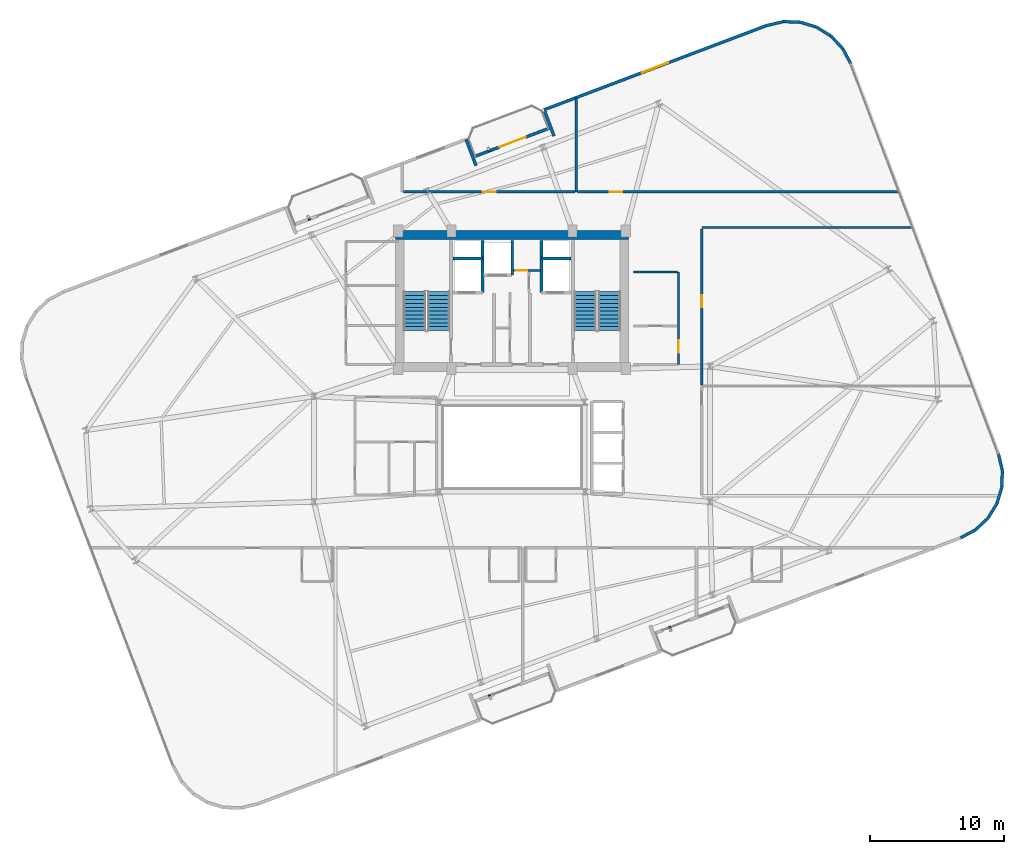
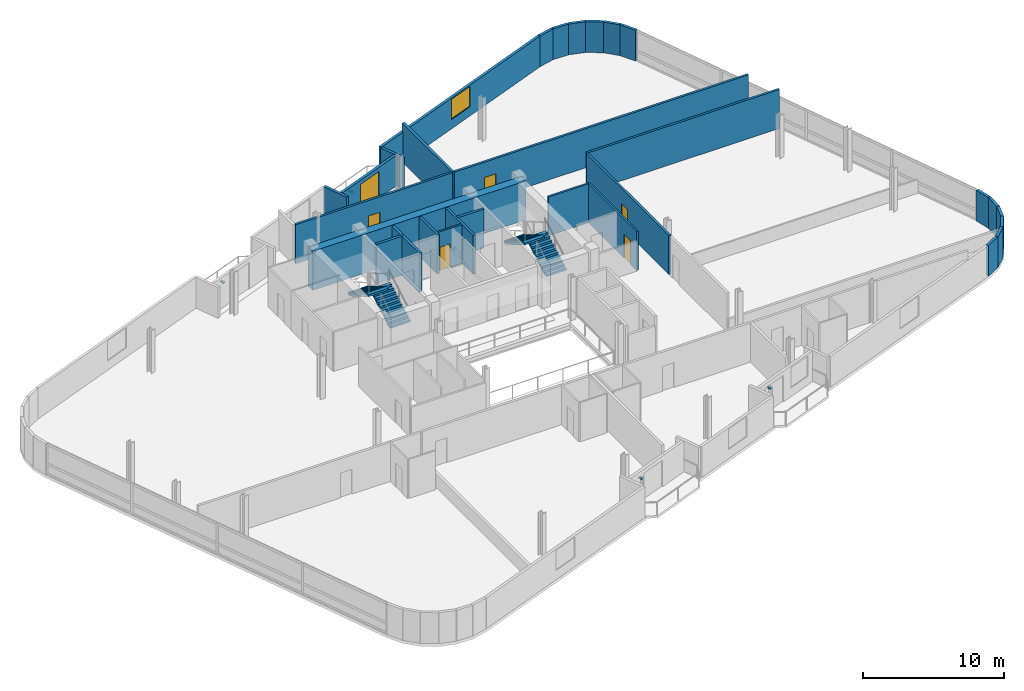
# One storey, part 17 of 19: 30 walls, 6 doors, 4 discrete accessories, 4 stair flights, 1 window, 7 openings, 2 elements without a shape of their own.
"""IFC4 building model written with IfcOpenShell, lengths in metres."""

from ifc_helpers import new_model, si_unit, direction, frame, frame_2d, origin, origin_2d, place, context, subcontext, project, spatial, polyline, rectangle, outline, extrude, source, transform, mapped, material, layer, layer_set, type_object, element, fill, aggregate, save


model = new_model("IFC4")

# Units and contexts
model_context = context("Model", 3, precision=1e-05, world=origin(), true_north=direction((0.0, 1.0)))
body_context = subcontext(model_context, "Body", "Model", "MODEL_VIEW")
ifc_project = project(units=[si_unit("LENGTHUNIT", "METRE"), si_unit("AREAUNIT", "SQUARE_METRE"), si_unit("VOLUMEUNIT", "CUBIC_METRE"), si_unit("PLANEANGLEUNIT", "RADIAN"), si_unit("MASSUNIT", "GRAM", prefix="KILO")], contexts=[model_context])

# Site, building, storey
site_placement = place(None, origin())
site = spatial("IfcSite", under=ifc_project, at=site_placement, CompositionType="ELEMENT")
building_placement = place(site_placement, origin())
building = spatial("IfcBuilding", under=site, at=building_placement, Name="Varnelok Gate Tower", CompositionType="ELEMENT")
storey_placement = place(building_placement, frame((0.0, 0.0, 249.699951171875)))
storey = spatial("IfcBuildingStorey", under=building, at=storey_placement, Name="L64", CompositionType="ELEMENT", Elevation=249.699951171875)

# Wall, opening, door
ifc_material_1 = material(Name="Concrete C45/55", Category="concrete")
ifc_layer_1 = layer(ifc_material_1, 0.219970703125)
ifc_layer_set_1 = layer_set([ifc_layer_1], Name="Concrete C45/55")
wall_type_1 = type_object("IfcWallType", Name="EW-BALC-220", PredefinedType="SOLIDWALL", material=ifc_layer_set_1)
wall_1_placement = place(storey_placement, frame((36.383056640625, 44.60302734375, 0.0), z_axis=(0.0, 0.0, 1.0), x_axis=(0.935227640088, 0.354046976001, 0.0)))
wall_1 = element("IfcWall", 1, at=wall_1_placement, inside=storey, type_object=wall_type_1, Name="L64 North Terrace Envelope Wall 4", PredefinedType="SOLIDWALL", context=body_context, shape_type="SweptSolid", body=[
    extrude(rectangle(XDim=6.0, YDim=0.219970703125, at=frame_2d((3.0, 0.0))), origin(), (0.0, 0.0, 1.0), 2.66015625),
])
opening_1_placement = place(wall_1_placement, frame((2.011962890625, 0.0, 0.0)))
opening_1 = element("IfcOpeningElement", 2, at=opening_1_placement, cuts=wall_1, Name="Opening BD-2", PredefinedType="OPENING", context=body_context, shape_type="SweptSolid", body=[
    extrude(rectangle(XDim=2.10009765625, YDim=2.300048828125, at=frame_2d((1.050048828125, 1.14990234375))), frame((0.0, 0.119873046875, 0.0), z_axis=(0.0, -1.0, 0.0), x_axis=(1.0, 0.0, 0.0)), (0.0, 0.0, 1.0), 0.239990234375),
])
ifc_material_2 = material(Name="Anodized Aluminum Alloy 6063-T6", Category="aluminium")
door_type_1 = type_object("IfcDoorType", Name="DR-EXT-SLID2100", OperationType="SLIDING_TO_LEFT", PredefinedType="DOOR", material=ifc_material_2)
door_1_placement = place(opening_1_placement, origin())
door_1 = element("IfcDoor", 3, at=door_1_placement, inside=storey, type_object=door_type_1, Name="L64 North Balcony Glazed Door 4", OperationType="SLIDING_TO_LEFT", OverallHeight=2.300048828125, OverallWidth=2.10009765625, PredefinedType="DOOR", context=body_context, shape_type="SweptSolid", body=[
    extrude(rectangle(XDim=2.10009765625, YDim=2.300048828125, at=frame_2d((1.050048828125, 1.14990234375))), frame((0.0, 0.02490234375, 0.0), z_axis=(0.0, -1.0, 0.0), x_axis=(1.0, 0.0, 0.0)), (0.0, 0.0, 1.0), 0.050048828125),
])
fill(opening_1, door_1)

# Walls
wall_2_placement = place(storey_placement, frame((72.74560546875, 16.10498046875, 0.0), z_axis=(0.0, 0.0, 1.0), x_axis=(0.881112879796, 0.472906008693, 0.0)))
element("IfcWall", 4, at=wall_2_placement, inside=storey, type_object=wall_type_1, Name="L64 Perimeter Facade Closure Wall 14", PredefinedType="SOLIDWALL", context=body_context, shape_type="SweptSolid", body=[
    extrude(rectangle(XDim=1.256591796875, YDim=0.219970703125, at=frame_2d((0.62841796875, 0.0))), origin(), (0.0, 0.0, 1.0), 2.66015625),
])
wall_3_placement = place(storey_placement, frame((73.870849609375, 16.716552734375, 0.0), z_axis=(0.0, 0.0, 1.0), x_axis=(0.728475443486, 0.685071914647, 0.0)))
element("IfcWall", 5, at=wall_3_placement, inside=storey, type_object=wall_type_1, Name="L64 Perimeter Facade Closure Wall 15", PredefinedType="SOLIDWALL", context=body_context, shape_type="SweptSolid", body=[
    extrude(rectangle(XDim=1.248779296875, YDim=0.219970703125, at=frame_2d((0.62451171875, 0.0))), origin(), (0.0, 0.0, 1.0), 2.66015625),
])
for number, where, z_axis, x_axis, name in (
    (6, (74.793701171875, 17.59326171875, 0.0), (0.0, 0.0, 1.0), (0.526549805576, 0.850144283194, 0.0), "L64 Perimeter Facade Closure Wall 16"),
    (7, (75.458251953125, 18.6787109375, 0.0), (0.0, 0.0, 1.0), (0.288406081086, 0.957508189204, 0.0), "L64 Perimeter Facade Closure Wall 17"),
):
    element("IfcWall", number, at=place(storey_placement, frame(where, z_axis=z_axis, x_axis=x_axis)), inside=storey, type_object=wall_type_1, Name=name, PredefinedType="SOLIDWALL", context=body_context, shape_type="SweptSolid", body=[
        extrude(rectangle(XDim=1.24853515625, YDim=0.219970703125, at=frame_2d((0.624267578125, 0.0))), origin(), (0.0, 0.0, 1.0), 2.66015625),
    ])
wall_4_placement = place(storey_placement, frame((75.819091796875, 19.8994140625, 0.0), z_axis=(0.0, 0.0, 1.0), x_axis=(0.030898954628, 0.999522513305, 0.0)))
element("IfcWall", 8, at=wall_4_placement, inside=storey, type_object=wall_type_1, Name="L64 Perimeter Facade Closure Wall 18", PredefinedType="SOLIDWALL", context=body_context, shape_type="SweptSolid", body=[
    extrude(rectangle(XDim=1.248291015625, YDim=0.219970703125, at=frame_2d((0.6240234375, 0.0))), origin(), (0.0, 0.0, 1.0), 2.66015625),
])
wall_5_placement = place(storey_placement, frame((75.851806640625, 21.171630859375, 0.0), z_axis=(0.0, 0.0, 1.0), x_axis=(-0.228941257463, 0.973440239887, 0.0)))
element("IfcWall", 9, at=wall_5_placement, inside=storey, type_object=wall_type_1, Name="L64 Perimeter Facade Closure Wall 19", PredefinedType="SOLIDWALL", context=body_context, shape_type="SweptSolid", body=[
    extrude(rectangle(XDim=1.248779296875, YDim=0.219970703125, at=frame_2d((0.62451171875, 0.0))), origin(), (0.0, 0.0, 1.0), 2.66015625),
])
wall_6_placement = place(storey_placement, frame((64.519287109375, 51.566162109375, 0.0), z_axis=(0.0, 0.0, 1.0), x_axis=(-0.473093575122, 0.881012184466, 0.0)))
element("IfcWall", 10, at=wall_6_placement, inside=storey, type_object=wall_type_1, Name="L64 Perimeter Facade Closure Wall 20", PredefinedType="SOLIDWALL", context=body_context, shape_type="SweptSolid", body=[
    extrude(rectangle(XDim=1.273681640625, YDim=0.219970703125, at=frame_2d((0.63671875, 0.0))), origin(), (0.0, 0.0, 1.0), 2.66015625),
])
for number, where, z_axis, x_axis, name in (
    (11, (63.8994140625, 52.706298828125, 0.0), (0.0, 0.0, 1.0), (-0.684870565369, 0.728664743686, 0.0), "L64 Perimeter Facade Closure Wall 21"),
    (12, (63.02294921875, 53.629150390625, 0.0), (0.0, 0.0, 1.0), (-0.850198480006, 0.526462291712, 0.0), "L64 Perimeter Facade Closure Wall 22"),
):
    element("IfcWall", number, at=place(storey_placement, frame(where, z_axis=z_axis, x_axis=x_axis)), inside=storey, type_object=wall_type_1, Name=name, PredefinedType="SOLIDWALL", context=body_context, shape_type="SweptSolid", body=[
        extrude(rectangle(XDim=1.248779296875, YDim=0.219970703125, at=frame_2d((0.62451171875, 0.0))), origin(), (0.0, 0.0, 1.0), 2.66015625),
    ])
for number, where, z_axis, x_axis, name in (
    (13, (61.937255859375, 54.293701171875, 0.0), (0.0, 0.0, 1.0), (-0.957508189204, 0.288406081086, 0.0), "L64 Perimeter Facade Closure Wall 23"),
    (14, (60.716796875, 54.65478515625, 0.0), (0.0, 0.0, 1.0), (-0.999528718359, 0.030697576053, 0.0), "L64 Perimeter Facade Closure Wall 24"),
):
    element("IfcWall", number, at=place(storey_placement, frame(where, z_axis=z_axis, x_axis=x_axis)), inside=storey, type_object=wall_type_1, Name=name, PredefinedType="SOLIDWALL", context=body_context, shape_type="SweptSolid", body=[
        extrude(rectangle(XDim=1.24853515625, YDim=0.219970703125, at=frame_2d((0.624267578125, 0.0))), origin(), (0.0, 0.0, 1.0), 2.66015625),
    ])
wall_7_placement = place(storey_placement, frame((59.4443359375, 54.6875, 0.0), z_axis=(0.0, 0.0, 1.0), x_axis=(-0.973409523464, -0.229071821989, 0.0)))
element("IfcWall", 15, at=wall_7_placement, inside=storey, type_object=wall_type_1, Name="L64 Perimeter Facade Closure Wall 25", PredefinedType="SOLIDWALL", context=body_context, shape_type="SweptSolid", body=[
    extrude(rectangle(XDim=1.256591796875, YDim=0.219970703125, at=frame_2d((0.62841796875, 0.0))), origin(), (0.0, 0.0, 1.0), 2.66015625),
])

# Wall, opening, window
wall_8_placement = place(storey_placement, frame((58.19775390625, 54.390869140625, 0.0), z_axis=(0.0, 0.0, 1.0), x_axis=(-0.935223849772, -0.354056988094, 0.0)))
wall_8 = element("IfcWall", 16, at=wall_8_placement, inside=storey, type_object=wall_type_1, Name="L64 Perimeter Facade Closure Wall 26", PredefinedType="SOLIDWALL", context=body_context, shape_type="SweptSolid", body=[
    extrude(rectangle(XDim=17.7470703125, YDim=0.219970703125, at=frame_2d((8.87353515625, 0.0))), origin(), (0.0, 0.0, 1.0), 2.66015625),
])
opening_2_placement = place(wall_8_placement, frame((7.823486328125, 0.0, 0.800048828125)))
opening_2 = element("IfcOpeningElement", 17, at=opening_2_placement, cuts=wall_8, Name="Opening WN4", PredefinedType="OPENING", context=body_context, shape_type="SweptSolid", body=[
    extrude(rectangle(XDim=2.10009765625, YDim=1.75, at=frame_2d((1.050048828125, 0.875))), frame((0.0, 0.119873046875, 0.0), z_axis=(0.0, -1.0, 0.0), x_axis=(1.0, 0.0, 0.0)), (0.0, 0.0, 1.0), 0.239990234375),
])
ifc_material_3 = material(Name="Low-E Laminated Double Glazing IGU", Category="glass")
window_type = type_object("IfcWindowType", Name="WN-SUI-2100", PartitioningType="SINGLE_PANEL", PredefinedType="WINDOW", material=ifc_material_3)
window_placement = place(opening_2_placement, origin())
window = element("IfcWindow", 18, at=window_placement, inside=storey, type_object=window_type, Name="L64 Perimeter Vision Window 26", OverallHeight=1.75, OverallWidth=2.10009765625, PartitioningType="SINGLE_PANEL", PredefinedType="WINDOW", context=body_context, shape_type="SweptSolid", body=[
    extrude(rectangle(XDim=2.10009765625, YDim=1.75, at=frame_2d((1.050048828125, 0.875))), frame((0.0, 0.030029296875, 0.0), z_axis=(0.0, -1.0, 0.0), x_axis=(1.0, 0.0, 0.0)), (0.0, 0.0, 1.0), 0.06005859375),
])
fill(opening_2, window)

# Walls
wall_9_placement = place(storey_placement, frame((41.64453125, 47.990478515625, 0.0), z_axis=(0.0, 0.0, 1.0), x_axis=(0.354020680661, -0.935237594232, 0.0)))
element("IfcWall", 19, at=wall_9_placement, inside=storey, type_object=wall_type_1, Name="L64 Perimeter Facade Closure Wall 27", PredefinedType="SOLIDWALL", context=body_context, shape_type="SweptSolid", body=[
    extrude(rectangle(XDim=1.97509765625, YDim=0.219970703125, at=frame_2d((0.987548828125, 0.0))), origin(), (0.0, 0.0, 1.0), 2.66015625),
])
wall_10_placement = place(storey_placement, frame((36.508056640625, 43.93408203125, 0.0), z_axis=(0.0, 0.0, 1.0), x_axis=(-0.354128469405, 0.935196785258, 0.0)))
element("IfcWall", 20, at=wall_10_placement, inside=storey, type_object=wall_type_1, Name="L64 Perimeter Facade Closure Wall 28", PredefinedType="SOLIDWALL", context=body_context, shape_type="SweptSolid", body=[
    extrude(rectangle(XDim=2.099853515625, YDim=0.219970703125, at=frame_2d((1.0498046875, 0.0))), origin(), (0.0, 0.0, 1.0), 2.66015625),
])

# Wall, opening, door
ifc_material_4 = material(Name="Gypsum Plasterboard Acoustic Partition", Category="gypsum")
ifc_layer_2 = layer(ifc_material_4, 0.179931640625)
ifc_layer_set_2 = layer_set([ifc_layer_2], Name="Gypsum Plasterboard Acoustic Partition")
wall_type_2 = type_object("IfcWallType", Name="PW-CORR-180", PredefinedType="PARTITIONING", material=ifc_layer_set_2)
wall_11_placement = place(storey_placement, frame((31.080078125, 41.9599609375, 0.0), z_axis=(0.0, 0.0, 1.0), x_axis=(1.0, 0.0, 0.0)))
wall_11 = element("IfcWall", 21, at=wall_11_placement, inside=storey, type_object=wall_type_2, Name="Interior Partition", PredefinedType="PARTITIONING", context=body_context, shape_type="SweptSolid", body=[
    extrude(rectangle(XDim=12.83984375, YDim=0.179931640625, at=frame_2d((6.419921875, 0.0))), origin(), (0.0, 0.0, 1.0), 3.380126953125),
])
opening_3_placement = place(wall_11_placement, frame((5.945068359375, 0.0, 0.0)))
opening_3 = element("IfcOpeningElement", 22, at=opening_3_placement, cuts=wall_11, Name="Opening D-I2", PredefinedType="OPENING", context=body_context, shape_type="SweptSolid", body=[
    extrude(rectangle(XDim=0.949951171875, YDim=2.050048828125, at=frame_2d((0.47509765625, 1.02490234375))), frame((0.0, 0.099853515625, 0.0), z_axis=(0.0, -1.0, 0.0), x_axis=(1.0, 0.0, 0.0)), (0.0, 0.0, 1.0), 0.199951171875),
])
ifc_material_5 = material(Name="Engineered Hardwood Timber", Category="wood")
door_type_2 = type_object("IfcDoorType", Name="DR-INT-950", OperationType="NOTDEFINED", PredefinedType="DOOR", material=ifc_material_5)
door_2_placement = place(opening_3_placement, origin())
door_2 = element("IfcDoor", 23, at=door_2_placement, inside=storey, type_object=door_type_2, Name="L64 Hotel Fitness Studio Door", OperationType="SINGLE_SWING_LEFT", OverallHeight=2.050048828125, OverallWidth=0.949951171875, PredefinedType="DOOR", context=body_context, shape_type="SweptSolid", body=[
    extrude(rectangle(XDim=0.949951171875, YDim=2.050048828125, at=frame_2d((0.47509765625, 1.02490234375))), frame((0.0, 0.02490234375, 0.0), z_axis=(0.0, -1.0, 0.0), x_axis=(1.0, 0.0, 0.0)), (0.0, 0.0, 1.0), 0.050048828125),
])
fill(opening_3, door_2)

wall_12_placement = place(storey_placement, frame((44.080078125, 41.9599609375, 0.0), z_axis=(0.0, 0.0, 1.0), x_axis=(1.0, 0.0, 0.0)))
wall_12 = element("IfcWall", 24, at=wall_12_placement, inside=storey, type_object=wall_type_2, Name="Interior Partition", PredefinedType="PARTITIONING", context=body_context, shape_type="SweptSolid", body=[
    extrude(rectangle(XDim=24.015625, YDim=0.179931640625, at=frame_2d((12.0078125, 0.0))), origin(), (0.0, 0.0, 1.0), 3.380126953125),
])
opening_4_placement = place(wall_12_placement, frame((2.425048828125, 0.0, 0.0)))
opening_4 = element("IfcOpeningElement", 25, at=opening_4_placement, cuts=wall_12, Name="Opening D-I2", PredefinedType="OPENING", context=body_context, shape_type="SweptSolid", body=[
    extrude(rectangle(XDim=0.949951171875, YDim=2.050048828125, at=frame_2d((0.47509765625, 1.02490234375))), frame((0.0, 0.099853515625, 0.0), z_axis=(0.0, -1.0, 0.0), x_axis=(1.0, 0.0, 0.0)), (0.0, 0.0, 1.0), 0.199951171875),
])
door_3_placement = place(opening_4_placement, origin())
door_3 = element("IfcDoor", 26, at=door_3_placement, inside=storey, type_object=door_type_2, Name="L64 Wellness Spa Lounge Door", OperationType="SINGLE_SWING_LEFT", OverallHeight=2.050048828125, OverallWidth=0.949951171875, PredefinedType="DOOR", context=body_context, shape_type="SweptSolid", body=[
    extrude(rectangle(XDim=0.949951171875, YDim=2.050048828125, at=frame_2d((0.47509765625, 1.02490234375))), frame((0.0, 0.02490234375, 0.0), z_axis=(0.0, -1.0, 0.0), x_axis=(1.0, 0.0, 0.0)), (0.0, 0.0, 1.0), 0.050048828125),
])
fill(opening_4, door_3)

wall_13_placement = place(storey_placement, frame((53.389892578125, 27.530029296875, 0.0), z_axis=(0.0, 0.0, 1.0), x_axis=(0.0, 1.0, 0.0)))
wall_13 = element("IfcWall", 27, at=wall_13_placement, inside=storey, type_object=wall_type_2, Name="Interior Partition", PredefinedType="PARTITIONING", context=body_context, shape_type="SweptSolid", body=[
    extrude(rectangle(XDim=11.669921875, YDim=0.179931640625, at=frame_2d((5.8349609375, 0.0))), origin(), (0.0, 0.0, 1.0), 3.380126953125),
])
opening_5_placement = place(wall_13_placement, frame((5.800048828125, 0.0, 0.0)))
opening_5 = element("IfcOpeningElement", 28, at=opening_5_placement, cuts=wall_13, Name="Opening D-I3", PredefinedType="OPENING", context=body_context, shape_type="SweptSolid", body=[
    extrude(rectangle(XDim=0.919921875, YDim=2.050048828125, at=frame_2d((0.4599609375, 1.02490234375))), frame((0.0, 0.099853515625, 0.0), z_axis=(0.0, -1.0, 0.0), x_axis=(1.0, 0.0, 0.0)), (0.0, 0.0, 1.0), 0.199951171875),
])
door_type_3 = type_object("IfcDoorType", Name="DR-INT-920", OperationType="NOTDEFINED", PredefinedType="DOOR", material=ifc_material_5)
door_4_placement = place(opening_5_placement, origin())
door_4 = element("IfcDoor", 29, at=door_4_placement, inside=storey, type_object=door_type_3, Name="L64 East Suite 2 Door", OperationType="SINGLE_SWING_RIGHT", OverallHeight=2.050048828125, OverallWidth=0.919921875, PredefinedType="DOOR", context=body_context, shape_type="SweptSolid", body=[
    extrude(rectangle(XDim=0.919921875, YDim=2.050048828125, at=frame_2d((0.4599609375, 1.02490234375))), frame((0.0, 0.02490234375, 0.0), z_axis=(0.0, -1.0, 0.0), x_axis=(1.0, 0.0, 0.0)), (0.0, 0.0, 1.0), 0.050048828125),
])
fill(opening_5, door_4)

# Wall
wall_14_placement = place(storey_placement, frame((53.389892578125, 39.300048828125, 0.0), z_axis=(0.0, 0.0, 1.0), x_axis=(1.0, 0.0, 0.0)))
element("IfcWall", 30, at=wall_14_placement, inside=storey, type_object=wall_type_2, Name="Interior Partition", PredefinedType="PARTITIONING", context=body_context, shape_type="SweptSolid", body=[
    extrude(rectangle(XDim=15.712890625, YDim=0.179931640625, at=frame_2d((7.8564453125, 0.0))), origin(), (0.0, 0.0, 1.0), 3.380126953125),
])

# Wall, opening, door
ifc_layer_3 = layer(ifc_material_4, 0.14990234375)
ifc_layer_set_3 = layer_set([ifc_layer_3], Name="Gypsum Plasterboard Acoustic Partition")
wall_type_3 = type_object("IfcWallType", Name="PW-PART-150", PredefinedType="PARTITIONING", material=ifc_layer_set_3)
wall_15_placement = place(storey_placement, frame((39.300048828125, 36.080078125, 0.0), z_axis=(0.0, 0.0, 1.0), x_axis=(1.0, 0.0, 0.0)))
wall_15 = element("IfcWall", 31, at=wall_15_placement, inside=storey, type_object=wall_type_3, Name="L64 Electrical Closet South Wall", PredefinedType="PARTITIONING", context=body_context, shape_type="SweptSolid", body=[
    extrude(rectangle(XDim=2.02001953125, YDim=0.14990234375, at=frame_2d((1.010009765625, 0.0))), origin(), (0.0, 0.0, 1.0), 3.380126953125),
])
opening_6_placement = place(wall_15_placement, frame((0.179931640625, 0.0, 0.0)))
opening_6 = element("IfcOpeningElement", 32, at=opening_6_placement, cuts=wall_15, Name="Opening D-RS", PredefinedType="OPENING", context=body_context, shape_type="SweptSolid", body=[
    extrude(rectangle(XDim=0.85009765625, YDim=2.050048828125, at=frame_2d((0.425048828125, 1.02490234375))), frame((0.0, 0.0849609375, 0.0), z_axis=(0.0, -1.0, 0.0), x_axis=(1.0, 0.0, 0.0)), (0.0, 0.0, 1.0), 0.169921875),
])
ifc_material_6 = material(Name="Galvanized Steel Grade S350GD", Category="steel")
door_type_4 = type_object("IfcDoorType", Name="DR-RISER-850", OperationType="NOTDEFINED", PredefinedType="DOOR", material=ifc_material_6)
door_5_placement = place(opening_6_placement, origin())
door_5 = element("IfcDoor", 33, at=door_5_placement, inside=storey, type_object=door_type_4, Name="L64 Electrical Closet Door", OperationType="SINGLE_SWING_RIGHT", OverallHeight=2.050048828125, OverallWidth=0.85009765625, PredefinedType="DOOR", context=body_context, shape_type="SweptSolid", body=[
    extrude(rectangle(XDim=0.85009765625, YDim=2.050048828125, at=frame_2d((0.425048828125, 1.02490234375))), frame((0.0, 0.02490234375, 0.0), z_axis=(0.0, -1.0, 0.0), x_axis=(1.0, 0.0, 0.0)), (0.0, 0.0, 1.0), 0.050048828125),
])
fill(opening_6, door_5)

# Wall
wall_16_placement = place(storey_placement, frame((48.300048828125, 35.9599609375, 0.0), z_axis=(0.0, 0.0, 1.0), x_axis=(1.0, 0.0, 0.0)))
element("IfcWall", 34, at=wall_16_placement, inside=storey, type_object=wall_type_3, Name="Interior Partition", PredefinedType="PARTITIONING", context=body_context, shape_type="SweptSolid", body=[
    extrude(rectangle(XDim=3.280029296875, YDim=0.14990234375, at=frame_2d((1.64013671875, 0.0))), origin(), (0.0, 0.0, 1.0), 3.380126953125),
])

# Wall, opening, door
wall_17_placement = place(storey_placement, frame((51.639892578125, 29.080078125, 0.0), z_axis=(0.0, 0.0, 1.0), x_axis=(0.0, 1.0, 0.0)))
wall_17 = element("IfcWall", 35, at=wall_17_placement, inside=storey, type_object=wall_type_3, Name="Interior Partition", PredefinedType="PARTITIONING", context=body_context, shape_type="SweptSolid", body=[
    extrude(rectangle(XDim=6.8798828125, YDim=0.14990234375, at=frame_2d((3.43994140625, 0.0))), origin(), (0.0, 0.0, 1.0), 3.380126953125),
])
opening_7_placement = place(wall_17_placement, frame((0.85009765625, 0.0, 0.0)))
opening_7 = element("IfcOpeningElement", 36, at=opening_7_placement, cuts=wall_17, Name="Opening D-I2", PredefinedType="OPENING", context=body_context, shape_type="SweptSolid", body=[
    extrude(rectangle(XDim=0.949951171875, YDim=2.050048828125, at=frame_2d((0.47509765625, 1.02490234375))), frame((0.0, 0.0849609375, 0.0), z_axis=(0.0, -1.0, 0.0), x_axis=(1.0, 0.0, 0.0)), (0.0, 0.0, 1.0), 0.169921875),
])
door_6_placement = place(opening_7_placement, origin())
door_6 = element("IfcDoor", 37, at=door_6_placement, inside=storey, type_object=door_type_2, Name="L64 Reclaimed Wine Storage Door", OperationType="SINGLE_SWING_RIGHT", OverallHeight=2.050048828125, OverallWidth=0.949951171875, PredefinedType="DOOR", context=body_context, shape_type="SweptSolid", body=[
    extrude(rectangle(XDim=0.949951171875, YDim=2.050048828125, at=frame_2d((0.47509765625, 1.02490234375))), frame((0.0, 0.02490234375, 0.0), z_axis=(0.0, -1.0, 0.0), x_axis=(1.0, 0.0, 0.0)), (0.0, 0.0, 1.0), 0.050048828125),
])
fill(opening_7, door_6)

# Walls
ifc_layer_4 = layer(ifc_material_4, 0.205078125)
ifc_layer_set_4 = layer_set([ifc_layer_4], Name="Gypsum Plasterboard Acoustic Partition")
wall_type_4 = type_object("IfcWallType", Name="PW-PARTY-200", PredefinedType="PARTITIONING", material=ifc_layer_set_4)
wall_18_placement = place(storey_placement, frame((44.0, 41.9599609375, 0.0), z_axis=(0.0, 0.0, 1.0), x_axis=(0.0, 1.0, 0.0)))
element("IfcWall", 38, at=wall_18_placement, inside=storey, type_object=wall_type_4, Name="L64 North Party Wall 2", PredefinedType="PARTITIONING", context=body_context, shape_type="SweptSolid", body=[
    extrude(rectangle(XDim=7.034423828125, YDim=0.205078125, at=frame_2d((3.51708984375, 0.0))), origin(), (0.0, 0.0, 1.0), 3.380126953125),
])
ifc_material_7 = material(Name="Concrete C35/45", Category="concrete")
ifc_layer_5 = layer(ifc_material_7, 0.199951171875)
ifc_layer_set_5 = layer_set([ifc_layer_5], Name="Concrete C35/45")
wall_type_5 = type_object("IfcWallType", Name="PW-SHAFT-200", PredefinedType="PARTITIONING", material=ifc_layer_set_5)
wall_19_placement = place(storey_placement, frame((34.800048828125, 36.97998046875, 0.0), z_axis=(0.0, 0.0, 1.0), x_axis=(1.0, 0.0, 0.0)))
element("IfcWall", 39, at=wall_19_placement, inside=storey, type_object=wall_type_5, Name="L64 FF1 Shaft North Wall", PredefinedType="PARTITIONING", context=body_context, shape_type="SweptSolid", body=[
    extrude(rectangle(XDim=2.179931640625, YDim=0.199951171875, at=frame_2d((1.08984375, 0.0))), origin(), (0.0, 0.0, 1.0), 3.380126953125),
])
wall_20_placement = place(storey_placement, frame((37.0, 34.43994140625, 0.0), z_axis=(0.0, 0.0, 1.0), x_axis=(0.0, 1.0, 0.0)))
element("IfcWall", 40, at=wall_20_placement, inside=storey, type_object=wall_type_5, Name="L64 FF1 Shaft Side Wall", PredefinedType="PARTITIONING", context=body_context, shape_type="SweptSolid", body=[
    extrude(rectangle(XDim=3.900146484375, YDim=0.199951171875, at=frame_2d((1.9501953125, 0.0))), origin(), (0.0, 0.0, 1.0), 3.380126953125),
])
wall_21_placement = place(storey_placement, frame((41.419921875, 36.97998046875, 0.0), z_axis=(0.0, 0.0, 1.0), x_axis=(1.0, 0.0, 0.0)))
element("IfcWall", 41, at=wall_21_placement, inside=storey, type_object=wall_type_5, Name="L64 FF2 Shaft North Wall", PredefinedType="PARTITIONING", context=body_context, shape_type="SweptSolid", body=[
    extrude(rectangle(XDim=2.18017578125, YDim=0.199951171875, at=frame_2d((1.090087890625, 0.0))), origin(), (0.0, 0.0, 1.0), 3.380126953125),
])
wall_22_placement = place(storey_placement, frame((41.39990234375, 34.43994140625, 0.0), z_axis=(0.0, 0.0, 1.0), x_axis=(0.0, 1.0, 0.0)))
element("IfcWall", 42, at=wall_22_placement, inside=storey, type_object=wall_type_5, Name="L64 FF2 Shaft Side Wall", PredefinedType="PARTITIONING", context=body_context, shape_type="SweptSolid", body=[
    extrude(rectangle(XDim=3.900146484375, YDim=0.199951171875, at=frame_2d((1.9501953125, 0.0))), origin(), (0.0, 0.0, 1.0), 3.380126953125),
])
wall_23_placement = place(storey_placement, frame((39.219970703125, 35.75, 0.0), z_axis=(0.0, 0.0, 1.0), x_axis=(0.0, 1.0, 0.0)))
element("IfcWall", 43, at=wall_23_placement, inside=storey, type_object=wall_type_5, Name="L64 SV1 Shaft East Wall", PredefinedType="PARTITIONING", context=body_context, shape_type="SweptSolid", body=[
    extrude(rectangle(XDim=2.590087890625, YDim=0.199951171875, at=frame_2d((1.294921875, 0.0))), origin(), (0.0, 0.0, 1.0), 3.380126953125),
])
ifc_material_8 = material(Name="Concrete C60/75", Category="concrete")
ifc_layer_6 = layer(ifc_material_8, 0.64990234375)
ifc_layer_set_6 = layer_set([ifc_layer_6], Name="Concrete C60/75")
wall_type_6 = type_object("IfcWallType", Name="SW-CORE-650", PredefinedType="SHEAR", material=ifc_layer_set_6)
wall_24_placement = place(storey_placement, frame((30.47998046875, 38.7451171875, 0.0), z_axis=(0.0, 0.0, 1.0), x_axis=(1.0, 0.0, 0.0)))
element("IfcWall", 44, at=wall_24_placement, inside=storey, type_object=wall_type_6, Name="L64 Rear Core North Shear Wall", PredefinedType="SHEAR", context=body_context, shape_type="SweptSolid", body=[
    extrude(rectangle(XDim=17.43994140625, YDim=0.64990234375, at=frame_2d((8.719970703125, 0.0))), origin(), (0.0, 0.0, 1.0), 3.380126953125),
])

# Stair, stair flights
ifc_material_9 = material(Name="Concrete C50/60", Category="concrete")
stair_type = type_object("IfcStairType", Name="STR-CORE-1650", PredefinedType="HALF_TURN_STAIR", material=ifc_material_9)
stair_1_placement = place(storey_placement, origin())
stair_1 = element("IfcStair", 45, at=stair_1_placement, inside=storey, type_object=stair_type, Name="L64 Exit Stair ST-1", PredefinedType="HALF_TURN_STAIR")
stair_flight_type = type_object("IfcStairFlightType", Name="SFL-CORE-1650", PredefinedType="STRAIGHT", material=ifc_material_9)
stair_flight_1_placement = place(storey_placement, frame((33.72509765625, 31.60009765625, 0.0), z_axis=(0.0, 0.0, 1.0), x_axis=(0.0, 1.0, 0.0)))
stair_flight_1 = element("IfcStairFlight", 46, at=stair_flight_1_placement, type_object=stair_flight_type, Name="ST-1 flight 1", NumberOfRisers=11, NumberOfTreads=10, PredefinedType="STRAIGHT", RiserHeight=0.168181818, TreadLength=0.29, context=body_context, shape_type="SweptSolid", body=[
    extrude(outline(polyline([(0.0, 0.0), (0.0, 0.168212890625), (0.2900390625, 0.168212890625), (0.2900390625, 0.33642578125), (0.580078125, 0.33642578125), (0.580078125, 0.504638671875), (0.8701171875, 0.504638671875), (0.8701171875, 0.672607421875), (1.159912109375, 0.672607421875), (1.159912109375, 0.8408203125), (1.449951171875, 0.8408203125), (1.449951171875, 1.009033203125), (1.739990234375, 1.009033203125), (1.739990234375, 1.17724609375), (2.030029296875, 1.17724609375), (2.030029296875, 1.345458984375), (2.320068359375, 1.345458984375), (2.320068359375, 1.513671875), (2.610107421875, 1.513671875), (2.610107421875, 1.681884765625), (2.89990234375, 1.681884765625), (2.89990234375, 1.85009765625), (2.89990234375, 1.508544921875), (0.298828125, 0.0), (0.0, 0.0)])), frame((0.0, 0.824951171875, 0.0), z_axis=(0.0, -1.0, 0.0), x_axis=(1.0, 0.0, 0.0)), (0.0, 0.0, 1.0), 1.64990234375),
])
stair_flight_2_placement = place(storey_placement, frame((31.925048828125, 34.5, 1.85009765625), z_axis=(0.0, 0.0, 1.0), x_axis=(0.0, -1.0, 0.0)))
stair_flight_2 = element("IfcStairFlight", 47, at=stair_flight_2_placement, type_object=stair_flight_type, Name="ST-1 flight 2", NumberOfRisers=11, NumberOfTreads=10, PredefinedType="STRAIGHT", RiserHeight=0.168181818, TreadLength=0.29, context=body_context, shape_type="SweptSolid", body=[
    extrude(outline(polyline([(0.0, 0.0), (0.0, 0.168212890625), (0.2900390625, 0.168212890625), (0.2900390625, 0.33642578125), (0.580078125, 0.33642578125), (0.580078125, 0.504638671875), (0.8701171875, 0.504638671875), (0.8701171875, 0.672607421875), (1.159912109375, 0.672607421875), (1.159912109375, 0.8408203125), (1.449951171875, 0.8408203125), (1.449951171875, 1.009033203125), (1.739990234375, 1.009033203125), (1.739990234375, 1.17724609375), (2.030029296875, 1.17724609375), (2.030029296875, 1.345458984375), (2.320068359375, 1.345458984375), (2.320068359375, 1.513671875), (2.610107421875, 1.513671875), (2.610107421875, 1.681884765625), (2.89990234375, 1.681884765625), (2.89990234375, 1.85009765625), (2.89990234375, 1.508544921875), (0.298828125, 0.0), (0.0, 0.0)])), frame((0.0, 0.824951171875, 0.0), z_axis=(0.0, -1.0, 0.0), x_axis=(1.0, 0.0, 0.0)), (0.0, 0.0, 1.0), 1.64990234375),
])
aggregate(stair_1, [stair_flight_1, stair_flight_2])

stair_2_placement = place(storey_placement, origin())
stair_2 = element("IfcStair", 48, at=stair_2_placement, inside=storey, type_object=stair_type, Name="L64 Exit Stair ST-2", PredefinedType="HALF_TURN_STAIR")
stair_flight_3_placement = place(storey_placement, frame((46.47509765625, 31.60009765625, 0.0), z_axis=(0.0, 0.0, 1.0), x_axis=(0.0, 1.0, 0.0)))
stair_flight_3 = element("IfcStairFlight", 49, at=stair_flight_3_placement, type_object=stair_flight_type, Name="ST-2 flight 1", NumberOfRisers=11, NumberOfTreads=10, PredefinedType="STRAIGHT", RiserHeight=0.168181818, TreadLength=0.29, context=body_context, shape_type="SweptSolid", body=[
    extrude(outline(polyline([(0.0, 0.0), (0.0, 0.168212890625), (0.2900390625, 0.168212890625), (0.2900390625, 0.33642578125), (0.580078125, 0.33642578125), (0.580078125, 0.504638671875), (0.8701171875, 0.504638671875), (0.8701171875, 0.672607421875), (1.159912109375, 0.672607421875), (1.159912109375, 0.8408203125), (1.449951171875, 0.8408203125), (1.449951171875, 1.009033203125), (1.739990234375, 1.009033203125), (1.739990234375, 1.17724609375), (2.030029296875, 1.17724609375), (2.030029296875, 1.345458984375), (2.320068359375, 1.345458984375), (2.320068359375, 1.513671875), (2.610107421875, 1.513671875), (2.610107421875, 1.681884765625), (2.89990234375, 1.681884765625), (2.89990234375, 1.85009765625), (2.89990234375, 1.508544921875), (0.298828125, 0.0), (0.0, 0.0)])), frame((0.0, 0.824951171875, 0.0), z_axis=(0.0, -1.0, 0.0), x_axis=(1.0, 0.0, 0.0)), (0.0, 0.0, 1.0), 1.64990234375),
])
stair_flight_4_placement = place(storey_placement, frame((44.675048828125, 34.5, 1.85009765625), z_axis=(0.0, 0.0, 1.0), x_axis=(0.0, -1.0, 0.0)))
stair_flight_4 = element("IfcStairFlight", 50, at=stair_flight_4_placement, type_object=stair_flight_type, Name="ST-2 flight 2", NumberOfRisers=11, NumberOfTreads=10, PredefinedType="STRAIGHT", RiserHeight=0.168181818, TreadLength=0.29, context=body_context, shape_type="SweptSolid", body=[
    extrude(outline(polyline([(0.0, 0.0), (0.0, 0.168212890625), (0.2900390625, 0.168212890625), (0.2900390625, 0.33642578125), (0.580078125, 0.33642578125), (0.580078125, 0.504638671875), (0.8701171875, 0.504638671875), (0.8701171875, 0.672607421875), (1.159912109375, 0.672607421875), (1.159912109375, 0.8408203125), (1.449951171875, 0.8408203125), (1.449951171875, 1.009033203125), (1.739990234375, 1.009033203125), (1.739990234375, 1.17724609375), (2.030029296875, 1.17724609375), (2.030029296875, 1.345458984375), (2.320068359375, 1.345458984375), (2.320068359375, 1.513671875), (2.610107421875, 1.513671875), (2.610107421875, 1.681884765625), (2.89990234375, 1.681884765625), (2.89990234375, 1.85009765625), (2.89990234375, 1.508544921875), (0.298828125, 0.0), (0.0, 0.0)])), frame((0.0, 0.824951171875, 0.0), z_axis=(0.0, -1.0, 0.0), x_axis=(1.0, 0.0, 0.0)), (0.0, 0.0, 1.0), 1.64990234375),
])
aggregate(stair_2, [stair_flight_3, stair_flight_4])

# Discrete accessories
ifc_material_10 = material(Name="Structural Steel ASTM A500 Grade C", Category="steel")
discrete_accessory_type = type_object("IfcDiscreteAccessoryType", Name="ACC-BAGUETTE-BRK", PredefinedType="BRACKET", material=ifc_material_10)
shared_shape = source(origin(), body_context, "Body", "SweptSolid", [
    extrude(rectangle(XDim=0.159912109375, YDim=0.340087890625, at=origin_2d()), origin(), (0.0, 0.0, 1.0), 0.139892578125),
])
for number, where, z_axis, x_axis, name in (
    (51, (37.55615234375, 4.22265625, 1.97998046875), (0.0, 0.0, 1.0), (0.935221751401, 0.354062530786, 0.0), "L64 Terracotta Baguette Bracket 1.1"),
    (52, (51.0234375, 9.321044921875, 1.97998046875), (0.0, 0.0, 1.0), (0.935221751401, 0.354062530786, 0.0), "L64 Terracotta Baguette Bracket 2.1"),
    (53, (24.009765625, 40.004150390625, 1.97998046875), (0.0, 0.0, 1.0), (0.935221751401, 0.354062530786, 0.0), "L64 Terracotta Baguette Bracket 3.1"),
    (54, (37.47705078125, 45.102783203125, 1.97998046875), (0.0, 0.0, 1.0), (0.935221751401, 0.354062530786, 0.0), "L64 Terracotta Baguette Bracket 4.1"),
):
    element("IfcDiscreteAccessory", number, at=place(storey_placement, frame(where, z_axis=z_axis, x_axis=x_axis)), inside=storey, type_object=discrete_accessory_type, Name=name, PredefinedType="BRACKET", context=body_context, shape_type="MappedRepresentation", body=[
        mapped(shared_shape, transform((0.0, 0.0, 0.0), scale=1.0)),
    ])

save(model, "model.ifc")
